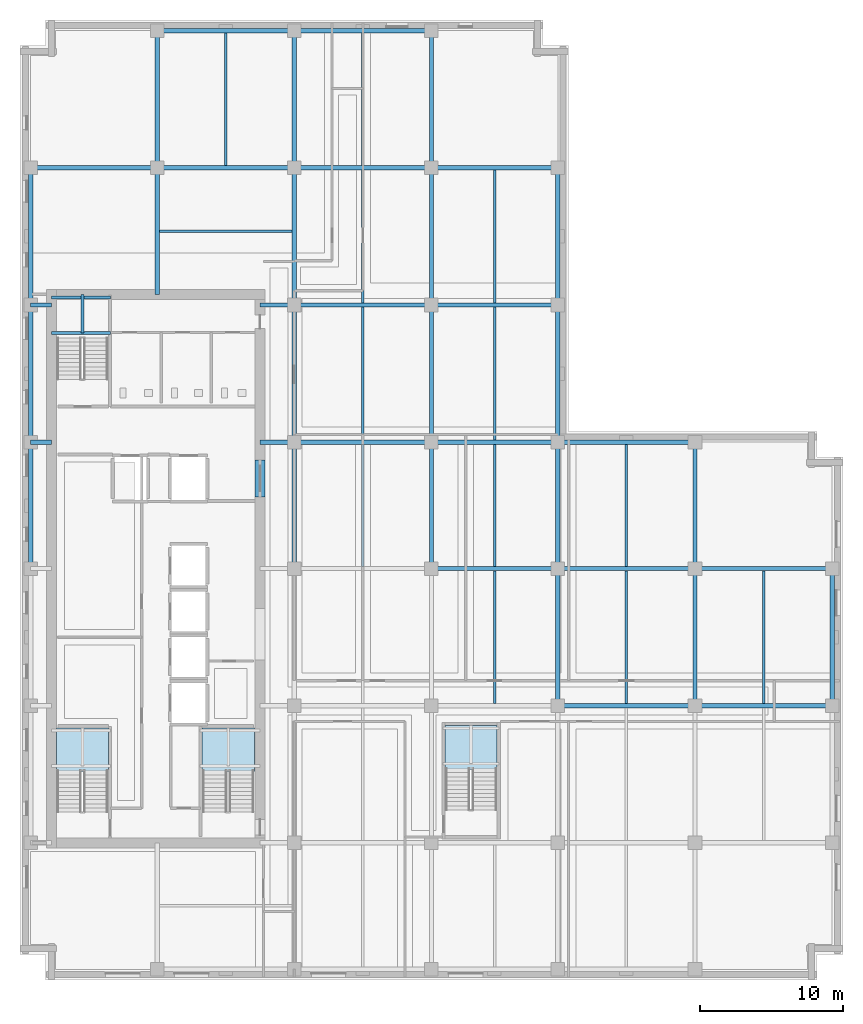
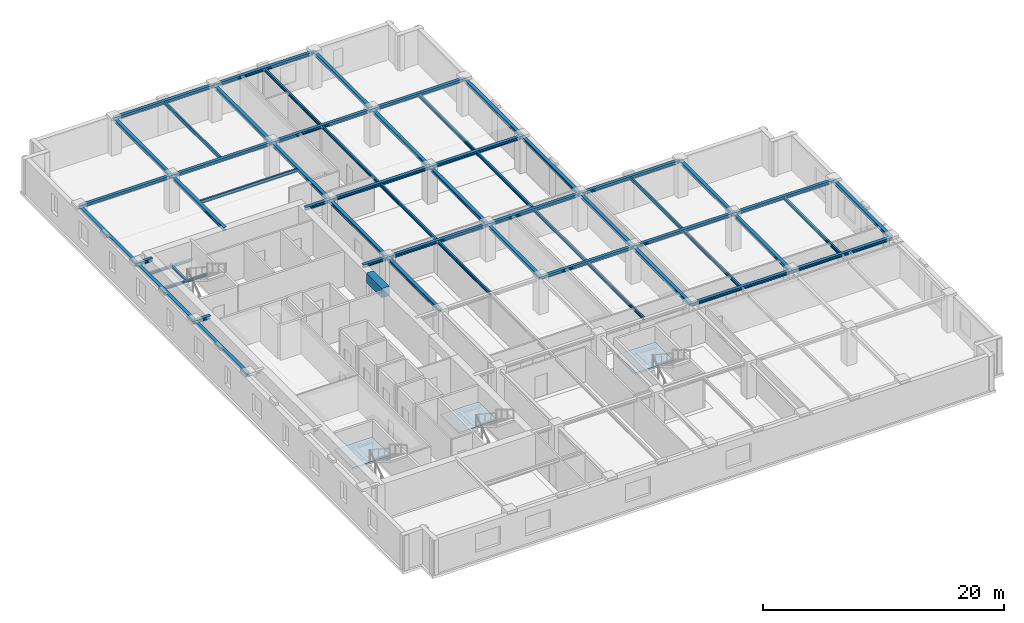
# One storey, part 2 of 13: 57 beams, 3 slabs, 3 elements without a shape of their own.
"""IFC4 building model written with IfcOpenShell, lengths in metres."""

from ifc_helpers import new_model, si_unit, direction, frame, origin, origin_2d, place, context, subcontext, project, spatial, polyline, rectangle, i_section, outline, extrude, material, layer, layer_set, material_profile, profile_set, type_object, element, aggregate, save


model = new_model("IFC4")

# Units and contexts
model_context = context("Model", 3, precision=1e-05, world=origin(), true_north=direction((0.0, 1.0)))
body_context = subcontext(model_context, "Body", "Model", "MODEL_VIEW")
ifc_project = project(units=[si_unit("LENGTHUNIT", "METRE"), si_unit("AREAUNIT", "SQUARE_METRE"), si_unit("VOLUMEUNIT", "CUBIC_METRE"), si_unit("PLANEANGLEUNIT", "RADIAN"), si_unit("MASSUNIT", "GRAM", prefix="KILO")], contexts=[model_context])

# Site, building, storey
site_placement = place(None, origin())
site = spatial("IfcSite", under=ifc_project, at=site_placement, CompositionType="ELEMENT")
building_placement = place(site_placement, origin())
building = spatial("IfcBuilding", under=site, at=building_placement, Name="Norrvale University Quadrangle", CompositionType="ELEMENT")
storey_placement = place(building_placement, frame((0.0, 0.0, 178.800048828125)))
storey = spatial("IfcBuildingStorey", under=building, at=storey_placement, Name="L45", CompositionType="ELEMENT", Elevation=178.800048828125)

# Beams
ifc_material_1 = material(Name="Steel 350W", Category="steel")
ifc_material_profile_1 = material_profile(ifc_material_1, i_section(OverallWidth=0.1669921875, OverallDepth=0.31689453125, WebThickness=0.007568359375, FlangeThickness=0.01318359375, FilletRadius=0.010009765625, at=origin_2d()), Name="Steel 350W")
ifc_profile_set_1 = profile_set([ifc_material_profile_1], Name="Steel 350W")
beam_type_1 = type_object("IfcBeamType", Name="Beam Canopy Purlin W310x52", PredefinedType="USERDEFINED", material=ifc_profile_set_1)
beam_1_placement = place(storey_placement, frame((14.39990234375, 57.00244140625, 3.38134765625), z_axis=(0.0, 1.0, 0.0), x_axis=(-1.0, 0.0, 0.0)))
element("IfcBeam", 1, at=beam_1_placement, inside=storey, type_object=beam_type_1, Name="Beam Canopy Purlin W310x52 BM-L45-J070", ObjectType="PURLIN", PredefinedType="USERDEFINED", context=body_context, shape_type="SweptSolid", body=[
    extrude(i_section(OverallWidth=0.1669921875, OverallDepth=0.31689453125, WebThickness=0.007568359375, FlangeThickness=0.01318359375, FilletRadius=0.010009765625, at=origin_2d()), origin(), (0.0, 0.0, 1.0), 9.295166015625),
])
beam_2_placement = place(storey_placement, frame((24.0, 28.952392578125, 3.38134765625), z_axis=(0.0, 1.0, 0.0), x_axis=(-1.0, 0.0, 0.0)))
element("IfcBeam", 2, at=beam_2_placement, inside=storey, type_object=beam_type_1, Name="Beam Canopy Purlin W310x52 BM-L45-J074", ObjectType="PURLIN", PredefinedType="USERDEFINED", context=body_context, shape_type="SweptSolid", body=[
    extrude(i_section(OverallWidth=0.1669921875, OverallDepth=0.31689453125, WebThickness=0.007568359375, FlangeThickness=0.01318359375, FilletRadius=0.010009765625, at=origin_2d()), origin(), (0.0, 0.0, 1.0), 8.545166015625),
])
for number, where, z_axis, x_axis, name in (
    (3, (24.0, 37.802490234375, 3.38134765625), (0.0, 1.0, 0.0), (-1.0, 0.0, 0.0), "Beam Canopy Purlin W310x52 BM-L45-J075"),
    (4, (24.0, 47.402587890625, 3.38134765625), (0.0, 1.0, 0.0), (-1.0, 0.0, 0.0), "Beam Canopy Purlin W310x52 BM-L45-J076"),
):
    element("IfcBeam", number, at=place(storey_placement, frame(where, z_axis=z_axis, x_axis=x_axis)), inside=storey, type_object=beam_type_1, Name=name, ObjectType="PURLIN", PredefinedType="USERDEFINED", context=body_context, shape_type="SweptSolid", body=[
        extrude(i_section(OverallWidth=0.1669921875, OverallDepth=0.31689453125, WebThickness=0.007568359375, FlangeThickness=0.01318359375, FilletRadius=0.010009765625, at=origin_2d()), origin(), (0.0, 0.0, 1.0), 9.294921875),
    ])
beam_3_placement = place(storey_placement, frame((24.0, 57.00244140625, 3.38134765625), z_axis=(0.0, 1.0, 0.0), x_axis=(-1.0, 0.0, 0.0)))
element("IfcBeam", 5, at=beam_3_placement, inside=storey, type_object=beam_type_1, Name="Beam Canopy Purlin W310x52 BM-L45-J077", ObjectType="PURLIN", PredefinedType="USERDEFINED", context=body_context, shape_type="SweptSolid", body=[
    extrude(i_section(OverallWidth=0.1669921875, OverallDepth=0.31689453125, WebThickness=0.007568359375, FlangeThickness=0.01318359375, FilletRadius=0.010009765625, at=origin_2d()), origin(), (0.0, 0.0, 1.0), 9.295166015625),
])
beam_4_placement = place(storey_placement, frame((33.22509765625, 19.3525390625, 3.38134765625), z_axis=(0.0, 1.0, 0.0), x_axis=(-1.0, 0.0, 0.0)))
element("IfcBeam", 6, at=beam_4_placement, inside=storey, type_object=beam_type_1, Name="Beam Canopy Purlin W310x52 BM-L45-J079", ObjectType="PURLIN", PredefinedType="USERDEFINED", context=body_context, shape_type="SweptSolid", body=[
    extrude(i_section(OverallWidth=0.1669921875, OverallDepth=0.31689453125, WebThickness=0.007568359375, FlangeThickness=0.01318359375, FilletRadius=0.010009765625, at=origin_2d()), origin(), (0.0, 0.0, 1.0), 9.294921875),
])
beam_5_placement = place(storey_placement, frame((33.22509765625, 28.952392578125, 3.38134765625), z_axis=(0.0, 1.0, 0.0), x_axis=(-1.0, 0.0, 0.0)))
element("IfcBeam", 7, at=beam_5_placement, inside=storey, type_object=beam_type_1, Name="Beam Canopy Purlin W310x52 BM-L45-J080", ObjectType="PURLIN", PredefinedType="USERDEFINED", context=body_context, shape_type="SweptSolid", body=[
    extrude(i_section(OverallWidth=0.1669921875, OverallDepth=0.31689453125, WebThickness=0.007568359375, FlangeThickness=0.01318359375, FilletRadius=0.010009765625, at=origin_2d()), origin(), (0.0, 0.0, 1.0), 8.545166015625),
])
for number, where, z_axis, x_axis, name in (
    (8, (33.22509765625, 37.802490234375, 3.38134765625), (0.0, 1.0, 0.0), (-1.0, 0.0, 0.0), "Beam Canopy Purlin W310x52 BM-L45-J081"),
    (9, (33.22509765625, 47.402587890625, 3.38134765625), (0.0, 1.0, 0.0), (-1.0, 0.0, 0.0), "Beam Canopy Purlin W310x52 BM-L45-J082"),
    (10, (42.449951171875, 19.3525390625, 3.38134765625), (0.0, 1.0, 0.0), (-1.0, 0.0, 0.0), "Beam Canopy Purlin W310x52 BM-L45-J085"),
):
    element("IfcBeam", number, at=place(storey_placement, frame(where, z_axis=z_axis, x_axis=x_axis)), inside=storey, type_object=beam_type_1, Name=name, ObjectType="PURLIN", PredefinedType="USERDEFINED", context=body_context, shape_type="SweptSolid", body=[
        extrude(i_section(OverallWidth=0.1669921875, OverallDepth=0.31689453125, WebThickness=0.007568359375, FlangeThickness=0.01318359375, FilletRadius=0.010009765625, at=origin_2d()), origin(), (0.0, 0.0, 1.0), 9.294921875),
    ])
beam_6_placement = place(storey_placement, frame((42.449951171875, 28.952392578125, 3.38134765625), z_axis=(0.0, 1.0, 0.0), x_axis=(-1.0, 0.0, 0.0)))
element("IfcBeam", 11, at=beam_6_placement, inside=storey, type_object=beam_type_1, Name="Beam Canopy Purlin W310x52 BM-L45-J086", ObjectType="PURLIN", PredefinedType="USERDEFINED", context=body_context, shape_type="SweptSolid", body=[
    extrude(i_section(OverallWidth=0.1669921875, OverallDepth=0.31689453125, WebThickness=0.007568359375, FlangeThickness=0.01318359375, FilletRadius=0.010009765625, at=origin_2d()), origin(), (0.0, 0.0, 1.0), 8.545166015625),
])
beam_7_placement = place(storey_placement, frame((52.050048828125, 19.3525390625, 3.38134765625), z_axis=(0.0, 1.0, 0.0), x_axis=(-1.0, 0.0, 0.0)))
element("IfcBeam", 12, at=beam_7_placement, inside=storey, type_object=beam_type_1, Name="Beam Canopy Purlin W310x52 BM-L45-J088", ObjectType="PURLIN", PredefinedType="USERDEFINED", context=body_context, shape_type="SweptSolid", body=[
    extrude(i_section(OverallWidth=0.1669921875, OverallDepth=0.31689453125, WebThickness=0.007568359375, FlangeThickness=0.01318359375, FilletRadius=0.010009765625, at=origin_2d()), origin(), (0.0, 0.0, 1.0), 9.294921875),
])
beam_8_placement = place(storey_placement, frame((9.75244140625, 52.39990234375, 3.38134765625), z_axis=(1.0, 0.0, 0.0), x_axis=(0.0, 1.0, 0.0)))
element("IfcBeam", 13, at=beam_8_placement, inside=storey, type_object=beam_type_1, Name="Beam Canopy Purlin W310x52 BM-L45-JCN092", ObjectType="PURLIN", PredefinedType="USERDEFINED", context=body_context, shape_type="SweptSolid", body=[
    extrude(i_section(OverallWidth=0.1669921875, OverallDepth=0.31689453125, WebThickness=0.007568359375, FlangeThickness=0.01318359375, FilletRadius=0.010009765625, at=origin_2d()), origin(), (0.0, 0.0, 1.0), 9.295166015625),
])
ifc_material_profile_2 = material_profile(ifc_material_1, i_section(OverallWidth=0.304931640625, OverallDepth=0.30810546875, WebThickness=0.010009765625, FlangeThickness=0.015380859375, FilletRadius=0.014892578125, at=origin_2d()), Name="Steel 350W")
ifc_profile_set_2 = profile_set([ifc_material_profile_2], Name="Steel 350W")
beam_type_2 = type_object("IfcBeamType", Name="Beam Canopy W310x97", PredefinedType="BEAM", material=ifc_profile_set_2)
for number, where, z_axis, x_axis, name in (
    (14, (37.64990234375, 19.199951171875, 3.385986328125), (1.0, 0.0, 0.0), (0.0, 1.0, 0.0), "Beam Canopy W310x97 BM-L45-GX011"),
    (15, (47.25, 19.199951171875, 3.385986328125), (1.0, 0.0, 0.0), (0.0, 1.0, 0.0), "Beam Canopy W310x97 BM-L45-GX012"),
):
    element("IfcBeam", number, at=place(storey_placement, frame(where, z_axis=z_axis, x_axis=x_axis)), inside=storey, type_object=beam_type_2, Name=name, PredefinedType="BEAM", context=body_context, shape_type="SweptSolid", body=[
        extrude(i_section(OverallWidth=0.304931640625, OverallDepth=0.30810546875, WebThickness=0.010009765625, FlangeThickness=0.015380859375, FilletRadius=0.014892578125, at=origin_2d()), origin(), (0.0, 0.0, 1.0), 9.60009765625),
    ])
beam_9_placement = place(storey_placement, frame((28.800048828125, 28.800048828125, 3.385986328125), z_axis=(1.0, 0.0, 0.0), x_axis=(0.0, 1.0, 0.0)))
element("IfcBeam", 16, at=beam_9_placement, inside=storey, type_object=beam_type_2, Name="Beam Canopy W310x97 BM-L45-GX014", PredefinedType="BEAM", context=body_context, shape_type="SweptSolid", body=[
    extrude(i_section(OverallWidth=0.304931640625, OverallDepth=0.30810546875, WebThickness=0.010009765625, FlangeThickness=0.015380859375, FilletRadius=0.014892578125, at=origin_2d()), origin(), (0.0, 0.0, 1.0), 8.849853515625),
])
for number, where, z_axis, x_axis, name in (
    (17, (37.64990234375, 28.800048828125, 3.385986328125), (1.0, 0.0, 0.0), (0.0, 1.0, 0.0), "Beam Canopy W310x97 BM-L45-GX015"),
    (18, (47.25, 28.800048828125, 3.385986328125), (1.0, 0.0, 0.0), (0.0, 1.0, 0.0), "Beam Canopy W310x97 BM-L45-GX016"),
    (19, (19.199951171875, 37.64990234375, 3.385986328125), (1.0, 0.0, 0.0), (0.0, 1.0, 0.0), "Beam Canopy W310x97 BM-L45-GX017"),
):
    element("IfcBeam", number, at=place(storey_placement, frame(where, z_axis=z_axis, x_axis=x_axis)), inside=storey, type_object=beam_type_2, Name=name, PredefinedType="BEAM", context=body_context, shape_type="SweptSolid", body=[
        extrude(i_section(OverallWidth=0.304931640625, OverallDepth=0.30810546875, WebThickness=0.010009765625, FlangeThickness=0.015380859375, FilletRadius=0.014892578125, at=origin_2d()), origin(), (0.0, 0.0, 1.0), 9.60009765625),
    ])
beam_10_placement = place(storey_placement, frame((28.800048828125, 37.64990234375, 3.385986328125), z_axis=(1.0, 0.0, 0.0), x_axis=(0.0, 1.0, 0.0)))
element("IfcBeam", 20, at=beam_10_placement, inside=storey, type_object=beam_type_2, Name="Beam Canopy W310x97 BM-L45-GX018", PredefinedType="BEAM", context=body_context, shape_type="SweptSolid", body=[
    extrude(i_section(OverallWidth=0.304931640625, OverallDepth=0.30810546875, WebThickness=0.010009765625, FlangeThickness=0.015380859375, FilletRadius=0.014892578125, at=origin_2d()), origin(), (0.0, 0.0, 1.0), 8.849853515625),
])
for number, where, z_axis, x_axis, name in (
    (21, (37.64990234375, 37.64990234375, 3.385986328125), (1.0, 0.0, 0.0), (0.0, 1.0, 0.0), "Beam Canopy W310x97 BM-L45-GX019"),
    (22, (19.199951171875, 47.25, 3.385986328125), (1.0, 0.0, 0.0), (0.0, 1.0, 0.0), "Beam Canopy W310x97 BM-L45-GX020"),
):
    element("IfcBeam", number, at=place(storey_placement, frame(where, z_axis=z_axis, x_axis=x_axis)), inside=storey, type_object=beam_type_2, Name=name, PredefinedType="BEAM", context=body_context, shape_type="SweptSolid", body=[
        extrude(i_section(OverallWidth=0.304931640625, OverallDepth=0.30810546875, WebThickness=0.010009765625, FlangeThickness=0.015380859375, FilletRadius=0.014892578125, at=origin_2d()), origin(), (0.0, 0.0, 1.0), 9.60009765625),
    ])
beam_11_placement = place(storey_placement, frame((28.800048828125, 47.25, 3.385986328125), z_axis=(1.0, 0.0, 0.0), x_axis=(0.0, 1.0, 0.0)))
element("IfcBeam", 23, at=beam_11_placement, inside=storey, type_object=beam_type_2, Name="Beam Canopy W310x97 BM-L45-GX021", PredefinedType="BEAM", context=body_context, shape_type="SweptSolid", body=[
    extrude(i_section(OverallWidth=0.304931640625, OverallDepth=0.30810546875, WebThickness=0.010009765625, FlangeThickness=0.015380859375, FilletRadius=0.014892578125, at=origin_2d()), origin(), (0.0, 0.0, 1.0), 8.849853515625),
])
beam_12_placement = place(storey_placement, frame((0.75, 56.85009765625, 3.385986328125), z_axis=(1.0, 0.0, 0.0), x_axis=(0.0, 1.0, 0.0)))
element("IfcBeam", 24, at=beam_12_placement, inside=storey, type_object=beam_type_2, Name="Beam Canopy W310x97 BM-L45-GX022", PredefinedType="BEAM", context=body_context, shape_type="SweptSolid", body=[
    extrude(i_section(OverallWidth=0.304931640625, OverallDepth=0.30810546875, WebThickness=0.010009765625, FlangeThickness=0.015380859375, FilletRadius=0.014892578125, at=origin_2d()), origin(), (0.0, 0.0, 1.0), 8.85009765625),
])
beam_13_placement = place(storey_placement, frame((9.60009765625, 56.85009765625, 3.385986328125), z_axis=(1.0, 0.0, 0.0), x_axis=(0.0, 1.0, 0.0)))
element("IfcBeam", 25, at=beam_13_placement, inside=storey, type_object=beam_type_2, Name="Beam Canopy W310x97 BM-L45-GX023", PredefinedType="BEAM", context=body_context, shape_type="SweptSolid", body=[
    extrude(i_section(OverallWidth=0.304931640625, OverallDepth=0.30810546875, WebThickness=0.010009765625, FlangeThickness=0.015380859375, FilletRadius=0.014892578125, at=origin_2d()), origin(), (0.0, 0.0, 1.0), 9.599853515625),
])
beam_14_placement = place(storey_placement, frame((19.199951171875, 56.85009765625, 3.385986328125), z_axis=(1.0, 0.0, 0.0), x_axis=(0.0, 1.0, 0.0)))
element("IfcBeam", 26, at=beam_14_placement, inside=storey, type_object=beam_type_2, Name="Beam Canopy W310x97 BM-L45-GX024", PredefinedType="BEAM", context=body_context, shape_type="SweptSolid", body=[
    extrude(i_section(OverallWidth=0.304931640625, OverallDepth=0.30810546875, WebThickness=0.010009765625, FlangeThickness=0.015380859375, FilletRadius=0.014892578125, at=origin_2d()), origin(), (0.0, 0.0, 1.0), 9.60009765625),
])
beam_15_placement = place(storey_placement, frame((28.800048828125, 56.85009765625, 3.385986328125), z_axis=(1.0, 0.0, 0.0), x_axis=(0.0, 1.0, 0.0)))
element("IfcBeam", 27, at=beam_15_placement, inside=storey, type_object=beam_type_2, Name="Beam Canopy W310x97 BM-L45-GX025", PredefinedType="BEAM", context=body_context, shape_type="SweptSolid", body=[
    extrude(i_section(OverallWidth=0.304931640625, OverallDepth=0.30810546875, WebThickness=0.010009765625, FlangeThickness=0.015380859375, FilletRadius=0.014892578125, at=origin_2d()), origin(), (0.0, 0.0, 1.0), 8.849853515625),
])
beam_16_placement = place(storey_placement, frame((9.60009765625, 66.449951171875, 3.385986328125), z_axis=(1.0, 0.0, 0.0), x_axis=(0.0, 1.0, 0.0)))
element("IfcBeam", 28, at=beam_16_placement, inside=storey, type_object=beam_type_2, Name="Beam Canopy W310x97 BM-L45-GX026", PredefinedType="BEAM", context=body_context, shape_type="SweptSolid", body=[
    extrude(i_section(OverallWidth=0.304931640625, OverallDepth=0.30810546875, WebThickness=0.010009765625, FlangeThickness=0.015380859375, FilletRadius=0.014892578125, at=origin_2d()), origin(), (0.0, 0.0, 1.0), 9.599853515625),
])
beam_17_placement = place(storey_placement, frame((19.199951171875, 66.449951171875, 3.385986328125), z_axis=(1.0, 0.0, 0.0), x_axis=(0.0, 1.0, 0.0)))
element("IfcBeam", 29, at=beam_17_placement, inside=storey, type_object=beam_type_2, Name="Beam Canopy W310x97 BM-L45-GX027", PredefinedType="BEAM", context=body_context, shape_type="SweptSolid", body=[
    extrude(i_section(OverallWidth=0.304931640625, OverallDepth=0.30810546875, WebThickness=0.010009765625, FlangeThickness=0.015380859375, FilletRadius=0.014892578125, at=origin_2d()), origin(), (0.0, 0.0, 1.0), 9.60009765625),
])
beam_18_placement = place(storey_placement, frame((0.75, 28.800048828125, 3.385986328125), z_axis=(0.0, 1.0, 0.0), x_axis=(-1.0, 0.0, 0.0)))
element("IfcBeam", 30, at=beam_18_placement, inside=storey, type_object=beam_type_2, Name="Beam Canopy W310x97 BM-L45-GY030", PredefinedType="BEAM", context=body_context, shape_type="SweptSolid", body=[
    extrude(i_section(OverallWidth=0.304931640625, OverallDepth=0.30810546875, WebThickness=0.010009765625, FlangeThickness=0.015380859375, FilletRadius=0.014892578125, at=origin_2d()), origin(), (0.0, 0.0, 1.0), 8.849853515625),
])
for number, where, z_axis, x_axis, name in (
    (31, (0.75, 37.64990234375, 3.385986328125), (0.0, 1.0, 0.0), (-1.0, 0.0, 0.0), "Beam Canopy W310x97 BM-L45-GY031"),
    (32, (0.75, 47.25, 3.385986328125), (0.0, 1.0, 0.0), (-1.0, 0.0, 0.0), "Beam Canopy W310x97 BM-L45-GY032"),
):
    element("IfcBeam", number, at=place(storey_placement, frame(where, z_axis=z_axis, x_axis=x_axis)), inside=storey, type_object=beam_type_2, Name=name, PredefinedType="BEAM", context=body_context, shape_type="SweptSolid", body=[
        extrude(i_section(OverallWidth=0.304931640625, OverallDepth=0.30810546875, WebThickness=0.010009765625, FlangeThickness=0.015380859375, FilletRadius=0.014892578125, at=origin_2d()), origin(), (0.0, 0.0, 1.0), 9.60009765625),
    ])
beam_19_placement = place(storey_placement, frame((9.60009765625, 56.85009765625, 3.385986328125), z_axis=(0.0, 1.0, 0.0), x_axis=(-1.0, 0.0, 0.0)))
element("IfcBeam", 33, at=beam_19_placement, inside=storey, type_object=beam_type_2, Name="Beam Canopy W310x97 BM-L45-GY033", PredefinedType="BEAM", context=body_context, shape_type="SweptSolid", body=[
    extrude(i_section(OverallWidth=0.304931640625, OverallDepth=0.30810546875, WebThickness=0.010009765625, FlangeThickness=0.015380859375, FilletRadius=0.014892578125, at=origin_2d()), origin(), (0.0, 0.0, 1.0), 9.599853515625),
])
beam_20_placement = place(storey_placement, frame((19.199951171875, 28.800048828125, 3.385986328125), z_axis=(0.0, 1.0, 0.0), x_axis=(-1.0, 0.0, 0.0)))
element("IfcBeam", 34, at=beam_20_placement, inside=storey, type_object=beam_type_2, Name="Beam Canopy W310x97 BM-L45-GY037", PredefinedType="BEAM", context=body_context, shape_type="SweptSolid", body=[
    extrude(i_section(OverallWidth=0.304931640625, OverallDepth=0.30810546875, WebThickness=0.010009765625, FlangeThickness=0.015380859375, FilletRadius=0.014892578125, at=origin_2d()), origin(), (0.0, 0.0, 1.0), 8.849853515625),
])
for number, where, z_axis, x_axis, name in (
    (35, (19.199951171875, 37.64990234375, 3.385986328125), (0.0, 1.0, 0.0), (-1.0, 0.0, 0.0), "Beam Canopy W310x97 BM-L45-GY038"),
    (36, (19.199951171875, 47.25, 3.385986328125), (0.0, 1.0, 0.0), (-1.0, 0.0, 0.0), "Beam Canopy W310x97 BM-L45-GY039"),
):
    element("IfcBeam", number, at=place(storey_placement, frame(where, z_axis=z_axis, x_axis=x_axis)), inside=storey, type_object=beam_type_2, Name=name, PredefinedType="BEAM", context=body_context, shape_type="SweptSolid", body=[
        extrude(i_section(OverallWidth=0.304931640625, OverallDepth=0.30810546875, WebThickness=0.010009765625, FlangeThickness=0.015380859375, FilletRadius=0.014892578125, at=origin_2d()), origin(), (0.0, 0.0, 1.0), 9.60009765625),
    ])
beam_21_placement = place(storey_placement, frame((19.199951171875, 56.85009765625, 3.385986328125), z_axis=(0.0, 1.0, 0.0), x_axis=(-1.0, 0.0, 0.0)))
element("IfcBeam", 37, at=beam_21_placement, inside=storey, type_object=beam_type_2, Name="Beam Canopy W310x97 BM-L45-GY040", PredefinedType="BEAM", context=body_context, shape_type="SweptSolid", body=[
    extrude(i_section(OverallWidth=0.304931640625, OverallDepth=0.30810546875, WebThickness=0.010009765625, FlangeThickness=0.015380859375, FilletRadius=0.014892578125, at=origin_2d()), origin(), (0.0, 0.0, 1.0), 9.599853515625),
])
beam_22_placement = place(storey_placement, frame((28.800048828125, 28.800048828125, 3.385986328125), z_axis=(0.0, 1.0, 0.0), x_axis=(-1.0, 0.0, 0.0)))
element("IfcBeam", 38, at=beam_22_placement, inside=storey, type_object=beam_type_2, Name="Beam Canopy W310x97 BM-L45-GY044", PredefinedType="BEAM", context=body_context, shape_type="SweptSolid", body=[
    extrude(i_section(OverallWidth=0.304931640625, OverallDepth=0.30810546875, WebThickness=0.010009765625, FlangeThickness=0.015380859375, FilletRadius=0.014892578125, at=origin_2d()), origin(), (0.0, 0.0, 1.0), 8.849853515625),
])
for number, where, z_axis, x_axis, name in (
    (39, (28.800048828125, 37.64990234375, 3.385986328125), (0.0, 1.0, 0.0), (-1.0, 0.0, 0.0), "Beam Canopy W310x97 BM-L45-GY045"),
    (40, (28.800048828125, 47.25, 3.385986328125), (0.0, 1.0, 0.0), (-1.0, 0.0, 0.0), "Beam Canopy W310x97 BM-L45-GY046"),
):
    element("IfcBeam", number, at=place(storey_placement, frame(where, z_axis=z_axis, x_axis=x_axis)), inside=storey, type_object=beam_type_2, Name=name, PredefinedType="BEAM", context=body_context, shape_type="SweptSolid", body=[
        extrude(i_section(OverallWidth=0.304931640625, OverallDepth=0.30810546875, WebThickness=0.010009765625, FlangeThickness=0.015380859375, FilletRadius=0.014892578125, at=origin_2d()), origin(), (0.0, 0.0, 1.0), 9.60009765625),
    ])
beam_23_placement = place(storey_placement, frame((28.800048828125, 56.85009765625, 3.385986328125), z_axis=(0.0, 1.0, 0.0), x_axis=(-1.0, 0.0, 0.0)))
element("IfcBeam", 41, at=beam_23_placement, inside=storey, type_object=beam_type_2, Name="Beam Canopy W310x97 BM-L45-GY047", PredefinedType="BEAM", context=body_context, shape_type="SweptSolid", body=[
    extrude(i_section(OverallWidth=0.304931640625, OverallDepth=0.30810546875, WebThickness=0.010009765625, FlangeThickness=0.015380859375, FilletRadius=0.014892578125, at=origin_2d()), origin(), (0.0, 0.0, 1.0), 9.599853515625),
])
beam_24_placement = place(storey_placement, frame((37.64990234375, 19.199951171875, 3.385986328125), z_axis=(0.0, 1.0, 0.0), x_axis=(-1.0, 0.0, 0.0)))
element("IfcBeam", 42, at=beam_24_placement, inside=storey, type_object=beam_type_2, Name="Beam Canopy W310x97 BM-L45-GY050", PredefinedType="BEAM", context=body_context, shape_type="SweptSolid", body=[
    extrude(i_section(OverallWidth=0.304931640625, OverallDepth=0.30810546875, WebThickness=0.010009765625, FlangeThickness=0.015380859375, FilletRadius=0.014892578125, at=origin_2d()), origin(), (0.0, 0.0, 1.0), 9.60009765625),
])
beam_25_placement = place(storey_placement, frame((37.64990234375, 28.800048828125, 3.385986328125), z_axis=(0.0, 1.0, 0.0), x_axis=(-1.0, 0.0, 0.0)))
element("IfcBeam", 43, at=beam_25_placement, inside=storey, type_object=beam_type_2, Name="Beam Canopy W310x97 BM-L45-GY051", PredefinedType="BEAM", context=body_context, shape_type="SweptSolid", body=[
    extrude(i_section(OverallWidth=0.304931640625, OverallDepth=0.30810546875, WebThickness=0.010009765625, FlangeThickness=0.015380859375, FilletRadius=0.014892578125, at=origin_2d()), origin(), (0.0, 0.0, 1.0), 8.849853515625),
])
for number, where, z_axis, x_axis, name in (
    (44, (37.64990234375, 37.64990234375, 3.385986328125), (0.0, 1.0, 0.0), (-1.0, 0.0, 0.0), "Beam Canopy W310x97 BM-L45-GY052"),
    (45, (37.64990234375, 47.25, 3.385986328125), (0.0, 1.0, 0.0), (-1.0, 0.0, 0.0), "Beam Canopy W310x97 BM-L45-GY053"),
    (46, (47.25, 19.199951171875, 3.385986328125), (0.0, 1.0, 0.0), (-1.0, 0.0, 0.0), "Beam Canopy W310x97 BM-L45-GY056"),
):
    element("IfcBeam", number, at=place(storey_placement, frame(where, z_axis=z_axis, x_axis=x_axis)), inside=storey, type_object=beam_type_2, Name=name, PredefinedType="BEAM", context=body_context, shape_type="SweptSolid", body=[
        extrude(i_section(OverallWidth=0.304931640625, OverallDepth=0.30810546875, WebThickness=0.010009765625, FlangeThickness=0.015380859375, FilletRadius=0.014892578125, at=origin_2d()), origin(), (0.0, 0.0, 1.0), 9.60009765625),
    ])
beam_26_placement = place(storey_placement, frame((47.25, 28.800048828125, 3.385986328125), z_axis=(0.0, 1.0, 0.0), x_axis=(-1.0, 0.0, 0.0)))
element("IfcBeam", 47, at=beam_26_placement, inside=storey, type_object=beam_type_2, Name="Beam Canopy W310x97 BM-L45-GY057", PredefinedType="BEAM", context=body_context, shape_type="SweptSolid", body=[
    extrude(i_section(OverallWidth=0.304931640625, OverallDepth=0.30810546875, WebThickness=0.010009765625, FlangeThickness=0.015380859375, FilletRadius=0.014892578125, at=origin_2d()), origin(), (0.0, 0.0, 1.0), 8.849853515625),
])
beam_27_placement = place(storey_placement, frame((56.85009765625, 19.199951171875, 3.385986328125), z_axis=(0.0, 1.0, 0.0), x_axis=(-1.0, 0.0, 0.0)))
element("IfcBeam", 48, at=beam_27_placement, inside=storey, type_object=beam_type_2, Name="Beam Canopy W310x97 BM-L45-GY059", PredefinedType="BEAM", context=body_context, shape_type="SweptSolid", body=[
    extrude(i_section(OverallWidth=0.304931640625, OverallDepth=0.30810546875, WebThickness=0.010009765625, FlangeThickness=0.015380859375, FilletRadius=0.014892578125, at=origin_2d()), origin(), (0.0, 0.0, 1.0), 9.60009765625),
])
beam_28_placement = place(storey_placement, frame((0.75, 37.64990234375, 3.385986328125), z_axis=(1.0, 0.0, 0.0), x_axis=(0.0, 1.0, 0.0)))
element("IfcBeam", 49, at=beam_28_placement, inside=storey, type_object=beam_type_2, Name="Beam Canopy W310x97 BM-L45-GCW066", PredefinedType="BEAM", context=body_context, shape_type="SweptSolid", body=[
    extrude(i_section(OverallWidth=0.304931640625, OverallDepth=0.30810546875, WebThickness=0.010009765625, FlangeThickness=0.015380859375, FilletRadius=0.014892578125, at=origin_2d()), origin(), (0.0, 0.0, 1.0), 1.449951171875),
])
beam_29_placement = place(storey_placement, frame((16.800048828125, 37.64990234375, 3.385986328125), z_axis=(1.0, 0.0, 0.0), x_axis=(0.0, 1.0, 0.0)))
element("IfcBeam", 50, at=beam_29_placement, inside=storey, type_object=beam_type_2, Name="Beam Canopy W310x97 BM-L45-GCE067", PredefinedType="BEAM", context=body_context, shape_type="SweptSolid", body=[
    extrude(i_section(OverallWidth=0.304931640625, OverallDepth=0.30810546875, WebThickness=0.010009765625, FlangeThickness=0.015380859375, FilletRadius=0.014892578125, at=origin_2d()), origin(), (0.0, 0.0, 1.0), 2.39990234375),
])
beam_30_placement = place(storey_placement, frame((0.75, 47.25, 3.385986328125), z_axis=(1.0, 0.0, 0.0), x_axis=(0.0, 1.0, 0.0)))
element("IfcBeam", 51, at=beam_30_placement, inside=storey, type_object=beam_type_2, Name="Beam Canopy W310x97 BM-L45-GCW068", PredefinedType="BEAM", context=body_context, shape_type="SweptSolid", body=[
    extrude(i_section(OverallWidth=0.304931640625, OverallDepth=0.30810546875, WebThickness=0.010009765625, FlangeThickness=0.015380859375, FilletRadius=0.014892578125, at=origin_2d()), origin(), (0.0, 0.0, 1.0), 1.449951171875),
])
beam_31_placement = place(storey_placement, frame((16.800048828125, 47.25, 3.385986328125), z_axis=(1.0, 0.0, 0.0), x_axis=(0.0, 1.0, 0.0)))
element("IfcBeam", 52, at=beam_31_placement, inside=storey, type_object=beam_type_2, Name="Beam Canopy W310x97 BM-L45-GCE069", PredefinedType="BEAM", context=body_context, shape_type="SweptSolid", body=[
    extrude(i_section(OverallWidth=0.304931640625, OverallDepth=0.30810546875, WebThickness=0.010009765625, FlangeThickness=0.015380859375, FilletRadius=0.014892578125, at=origin_2d()), origin(), (0.0, 0.0, 1.0), 2.39990234375),
])
beam_32_placement = place(storey_placement, frame((9.60009765625, 48.0, 3.385986328125), z_axis=(0.0, 1.0, 0.0), x_axis=(-1.0, 0.0, 0.0)))
element("IfcBeam", 53, at=beam_32_placement, inside=storey, type_object=beam_type_2, Name="Beam Canopy W310x97 BM-L45-GCN091", PredefinedType="BEAM", context=body_context, shape_type="SweptSolid", body=[
    extrude(i_section(OverallWidth=0.304931640625, OverallDepth=0.30810546875, WebThickness=0.010009765625, FlangeThickness=0.015380859375, FilletRadius=0.014892578125, at=origin_2d()), origin(), (0.0, 0.0, 1.0), 8.85009765625),
])
ifc_material_2 = material(Name="Concrete C80/95", Category="concrete")
ifc_material_profile_3 = material_profile(ifc_material_2, rectangle(XDim=0.699951171875, YDim=0.949951171875, at=origin_2d()), Name="Concrete C80/95")
ifc_profile_set_3 = profile_set([ifc_material_profile_3], Name="Concrete C80/95")
beam_type_3 = type_object("IfcBeamType", Name="Beam Core Link 700x950", PredefinedType="LINTEL", material=ifc_profile_set_3)
beam_33_placement = place(storey_placement, frame((16.800048828125, 33.800048828125, 3.06494140625), z_axis=(0.0, 1.0, 0.0), x_axis=(-1.0, 0.0, 0.0)))
element("IfcBeam", 54, at=beam_33_placement, inside=storey, type_object=beam_type_3, Name="Core Coupling Lintel Beam L45-2", PredefinedType="LINTEL", context=body_context, shape_type="SweptSolid", body=[
    extrude(rectangle(XDim=0.699951171875, YDim=0.949951171875, at=origin_2d()), origin(), (0.0, 0.0, 1.0), 2.599853515625),
])
ifc_material_profile_4 = material_profile(ifc_material_1, i_section(OverallWidth=0.201904296875, OverallDepth=0.2470703125, WebThickness=0.00732421875, FlangeThickness=0.010986328125, FilletRadius=0.011962890625, at=origin_2d()), Name="Steel 350W")
ifc_profile_set_4 = profile_set([ifc_material_profile_4], Name="Steel 350W")
beam_type_4 = type_object("IfcBeamType", Name="Beam Stair W250x49", PredefinedType="BEAM", material=ifc_profile_set_4)
for number, where, z_axis, x_axis, name in (
    (55, (2.199951171875, 45.2900390625, 1.576416015625), (1.0, 0.0, 0.0), (0.0, 1.0, 0.0), "Stair Mid-Landing Front Beam ST-02 L45"),
    (56, (2.199951171875, 47.77001953125, 1.576416015625), (1.0, 0.0, 0.0), (0.0, 1.0, 0.0), "Stair Mid-Landing Rear Beam ST-02 L45"),
):
    element("IfcBeam", number, at=place(storey_placement, frame(where, z_axis=z_axis, x_axis=x_axis)), inside=storey, type_object=beam_type_4, Name=name, PredefinedType="BEAM", context=body_context, shape_type="SweptSolid", body=[
        extrude(i_section(OverallWidth=0.201904296875, OverallDepth=0.2470703125, WebThickness=0.00732421875, FlangeThickness=0.010986328125, FilletRadius=0.011962890625, at=origin_2d()), origin(), (0.0, 0.0, 1.0), 4.14013671875),
    ])
ifc_material_profile_5 = material_profile(ifc_material_1, i_section(OverallWidth=0.202880859375, OverallDepth=0.202880859375, WebThickness=0.007080078125, FlangeThickness=0.010986328125, FilletRadius=0.010009765625, at=origin_2d()), Name="Steel 350W")
ifc_profile_set_5 = profile_set([ifc_material_profile_5], Name="Steel 350W")
beam_type_5 = type_object("IfcBeamType", Name="Beam Trim W200x46", PredefinedType="BEAM", material=ifc_profile_set_5)
beam_34_placement = place(storey_placement, frame((4.375, 45.2900390625, 1.598388671875), z_axis=(0.0, 1.0, 0.0), x_axis=(-1.0, 0.0, 0.0)))
element("IfcBeam", 57, at=beam_34_placement, inside=storey, type_object=beam_type_5, Name="Stair Mid-Landing Cross Beam ST-02 L45", PredefinedType="BEAM", context=body_context, shape_type="SweptSolid", body=[
    extrude(i_section(OverallWidth=0.202880859375, OverallDepth=0.202880859375, WebThickness=0.007080078125, FlangeThickness=0.010986328125, FilletRadius=0.010009765625, at=origin_2d()), origin(), (0.0, 0.0, 1.0), 2.7099609375),
])

# Stair, slab
ifc_material_3 = material(Name="Concrete C40/50", Category="concrete")
stair_type = type_object("IfcStairType", Name="Stair Tower Typ 3800", PredefinedType="TWO_STRAIGHT_RUN_STAIR", material=ifc_material_3)
stair_1_placement = place(storey_placement, origin())
stair_1 = element("IfcStair", 58, at=stair_1_placement, inside=storey, type_object=stair_type, Name="Exit Stair ST-01 L45", PredefinedType="TWO_STRAIGHT_RUN_STAIR")
ifc_layer = layer(ifc_material_3, 0.199951171875, Name="Concrete C40/50")
ifc_layer_set = layer_set([ifc_layer], Name="Concrete C40/50")
slab_type = type_object("IfcSlabType", Name="Slab Landing 200", PredefinedType="LANDING", material=ifc_layer_set)
slab_1_placement = place(storey_placement, frame((0.0, 0.0, 1.699951171875)))
slab_1 = element("IfcSlab", 59, at=slab_1_placement, type_object=slab_type, Name="Exit Stair ST-01 L45 Mid Landing", PredefinedType="LANDING", context=body_context, shape_type="SweptSolid", body=[
    extrude(outline(polyline([(2.550048828125, 14.590087890625), (6.199951171875, 14.590087890625), (6.199951171875, 17.64990234375), (2.550048828125, 17.64990234375), (2.550048828125, 14.590087890625)])), origin(), (0.0, 0.0, 1.0), 0.199951171875),
])
aggregate(stair_1, [slab_1])

stair_2_placement = place(storey_placement, origin())
stair_2 = element("IfcStair", 60, at=stair_2_placement, inside=storey, type_object=stair_type, Name="Exit Stair ST-03 L45", PredefinedType="TWO_STRAIGHT_RUN_STAIR")
slab_2_placement = place(storey_placement, frame((0.0, 0.0, 1.699951171875)))
slab_2 = element("IfcSlab", 61, at=slab_2_placement, type_object=slab_type, Name="Exit Stair ST-03 L45 Mid Landing", PredefinedType="LANDING", context=body_context, shape_type="SweptSolid", body=[
    extrude(outline(polyline([(12.75, 14.590087890625), (16.39990234375, 14.590087890625), (16.39990234375, 17.64990234375), (12.75, 17.64990234375), (12.75, 14.590087890625)])), origin(), (0.0, 0.0, 1.0), 0.199951171875),
])
aggregate(stair_2, [slab_2])

stair_3_placement = place(storey_placement, origin())
stair_3 = element("IfcStair", 62, at=stair_3_placement, inside=storey, type_object=stair_type, Name="Exit Stair ST-04 L45", PredefinedType="TWO_STRAIGHT_RUN_STAIR")
slab_3_placement = place(storey_placement, frame((0.0, 0.0, 1.699951171875)))
slab_3 = element("IfcSlab", 63, at=slab_3_placement, type_object=slab_type, Name="Exit Stair ST-04 L45 Mid Landing", PredefinedType="LANDING", context=body_context, shape_type="SweptSolid", body=[
    extrude(outline(polyline([(29.75, 14.739990234375), (33.39990234375, 14.739990234375), (33.39990234375, 17.800048828125), (29.75, 17.800048828125), (29.75, 14.739990234375)])), origin(), (0.0, 0.0, 1.0), 0.199951171875),
])
aggregate(stair_3, [slab_3])

save(model, "model.ifc")
